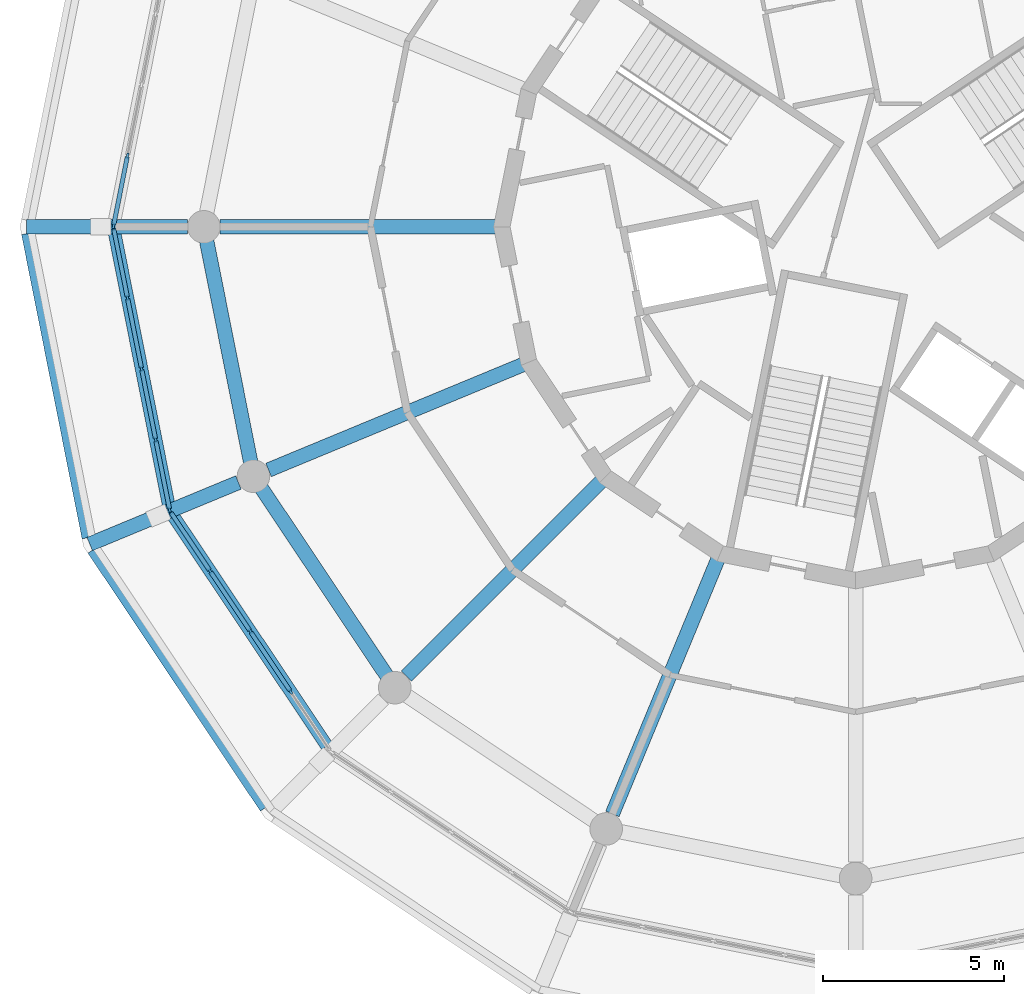
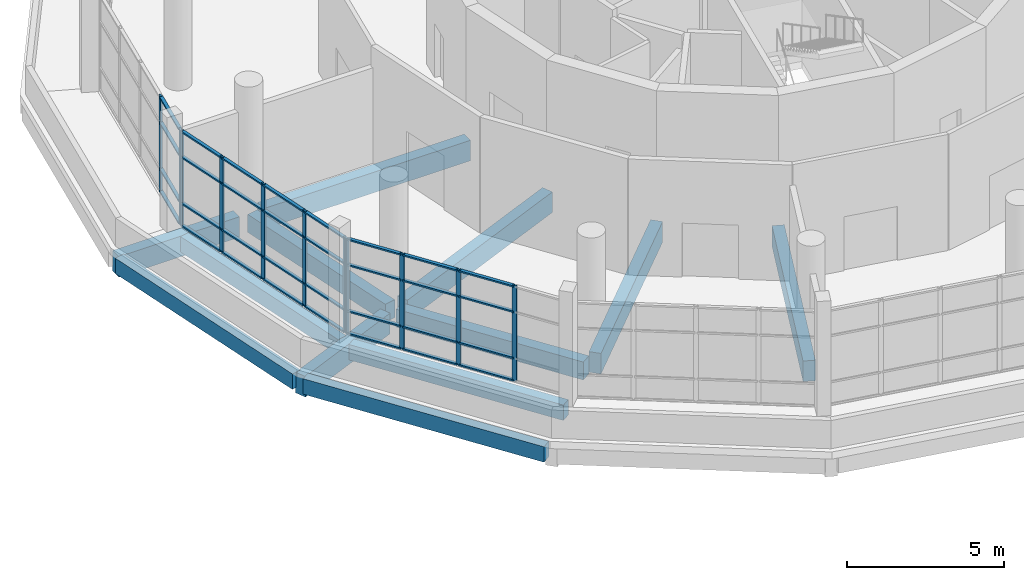
# One storey, part 5 of 21: 43 members, 12 beams, 3 elements without a shape of their own.
"""IFC4 building model written with IfcOpenShell, lengths in metres."""

import ifcopenshell
import ifcopenshell.guid

model = None  # the IFC model being written
_history = None  # IfcOwnerHistory: only IFC2X3 demands one
_inside = {}  # id of a spatial element -> (the spatial element, [elements in it])
_under = {}  # id of a project, library or spatial element -> (it, [spatial elements below it])
_declared = {}  # id of a project -> (the project, [libraries it declares])
_typed = {}  # id of a type object -> (the type object, [elements of that type])
_made_of = {}  # id of a material, layer set ... -> (it, [elements and type objects made of it])


def new_model(schema):
    """Start an empty IFC model of exactly this schema.

    Asked for "IFC4X3", IfcOpenShell would pick the latest addendum, in which some entities
    have other attributes; the version numbers below select the first issue.
    IFC2X3 requires an IfcOwnerHistory on every rooted entity: one is made here for all.
    """
    global model, _history
    if schema == "IFC4X3":
        model = ifcopenshell.file(schema_version=(4, 3, 0, 0))
    else:
        model = ifcopenshell.file(schema=schema)
    _inside.clear()
    _under.clear()
    _declared.clear()
    _typed.clear()
    _made_of.clear()
    _history = None
    if model.schema == "IFC2X3":
        org = make("IfcOrganization", Name="unknown")
        user = make(
            "IfcPersonAndOrganization",
            ThePerson=make("IfcPerson", FamilyName="unknown"),
            TheOrganization=org,
        )
        app = make(
            "IfcApplication",
            ApplicationDeveloper=org,
            Version="unknown",
            ApplicationFullName="unknown",
            ApplicationIdentifier="unknown",
        )
        _history = make(
            "IfcOwnerHistory",
            OwningUser=user,
            OwningApplication=app,
            ChangeAction="ADDED",
            CreationDate=0,
        )
    return model


def make(cls, **values):
    """One entity of the class cls with the attributes given. An attribute that is None is left unset."""
    return model.create_entity(
        cls, **{name: value for name, value in values.items() if value is not None}
    )


def rooted(cls, **values):
    """An entity with a GlobalId (a new one), such as an element, a storey or a relation."""
    return make(cls, GlobalId=ifcopenshell.guid.new(), OwnerHistory=_history, **values)


def si_unit(unit_type, name, prefix=None):
    """IfcSIUnit, for example si_unit("LENGTHUNIT", "METRE", prefix="MILLI")."""
    return make("IfcSIUnit", UnitType=unit_type, Prefix=prefix, Name=name)


def assignment(units):
    """IfcUnitAssignment: the units of a project."""
    return None if units is None else make("IfcUnitAssignment", Units=units)


def point(xyz):
    """IfcCartesianPoint."""
    return None if xyz is None else make("IfcCartesianPoint", Coordinates=xyz)


def direction(xyz):
    """IfcDirection."""
    return None if xyz is None else make("IfcDirection", DirectionRatios=xyz)


def frame(location, z_axis=None, x_axis=None):
    """IfcAxis2Placement3D, a coordinate frame: its origin and axes. An axis left out is left unset."""
    return make(
        "IfcAxis2Placement3D",
        Location=point(location),
        Axis=direction(z_axis),
        RefDirection=direction(x_axis),
    )


def frame_2d(location, x_axis=None):
    """IfcAxis2Placement2D, a coordinate frame in the plane: its origin and x axis."""
    return make(
        "IfcAxis2Placement2D", Location=point(location), RefDirection=direction(x_axis)
    )


def origin():
    """The frame at (0, 0, 0) with its axes left unset."""
    return frame((0.0, 0.0, 0.0))


def origin_2d():
    """The frame at (0, 0) in the plane with its x axis left unset."""
    return frame_2d((0.0, 0.0))


def place(relative_to, where):
    """IfcLocalPlacement: puts the frame where relative to a parent placement (None: the world)."""
    return make(
        "IfcLocalPlacement", PlacementRelTo=relative_to, RelativePlacement=where
    )


def context(
    kind, dimensions, precision=None, world=None, true_north=None, identifier=None
):
    """IfcGeometricRepresentationContext, for example the 3D "Model" context."""
    return make(
        "IfcGeometricRepresentationContext",
        ContextIdentifier=identifier,
        ContextType=kind,
        CoordinateSpaceDimension=dimensions,
        Precision=precision,
        WorldCoordinateSystem=world,
        TrueNorth=true_north,
    )


def subcontext(parent, identifier, kind, view, scale=None):
    """IfcGeometricRepresentationSubContext, for example "Body" below "Model"."""
    return make(
        "IfcGeometricRepresentationSubContext",
        ContextIdentifier=identifier,
        ContextType=kind,
        ParentContext=parent,
        TargetScale=scale,
        TargetView=view,
    )


def project(units=None, contexts=None):
    """IfcProject with its units and contexts."""
    return rooted(
        "IfcProject",
        Name="project",
        RepresentationContexts=contexts,
        UnitsInContext=assignment(units),
    )


def spatial(cls, under=None, at=None, **own):
    """A site, building, storey or space (cls), placed at a placement, below another one or the project."""
    s = rooted(cls, ObjectPlacement=at, **own)
    if under is not None:
        _under.setdefault(under.id(), (under, []))[1].append(s)
    return s


def profile(cls, at=None, kind="AREA", **sizes):
    """A parametric profile (cls). Its sizes go by their IFC names, for example OverallWidth=200.0."""
    return make(cls, ProfileType=kind, Position=at, **sizes)


def rectangle(**sizes):
    """IfcRectangleProfileDef."""
    return profile("IfcRectangleProfileDef", **sizes)


def extrude(swept, where, along, depth):
    """IfcExtrudedAreaSolid: the profile swept, set in the frame where, extruded along a direction by depth."""
    return make(
        "IfcExtrudedAreaSolid",
        SweptArea=swept,
        Position=where,
        ExtrudedDirection=direction(along),
        Depth=depth,
    )


def shape(context_of_items, identifier, shape_type, items):
    """IfcShapeRepresentation: the items that make up one representation, for example the "Body"."""
    return make(
        "IfcShapeRepresentation",
        ContextOfItems=context_of_items,
        RepresentationIdentifier=identifier,
        RepresentationType=shape_type,
        Items=items,
    )


def material(Name=None, Category=None):
    """IfcMaterial."""
    return make("IfcMaterial", Name=Name, Category=Category)


def material_profile(
    of_material, cross_section, Name=None, Category=None, Priority=None
):
    """IfcMaterialProfile: a cross section and its material."""
    return make(
        "IfcMaterialProfile",
        Name=Name,
        Material=of_material,
        Profile=cross_section,
        Priority=Priority,
        Category=Category,
    )


def profile_set(profiles, Name=None, composite=None):
    """IfcMaterialProfileSet."""
    return make(
        "IfcMaterialProfileSet",
        Name=Name,
        MaterialProfiles=profiles,
        CompositeProfile=composite,
    )


def made_of(thing, what):
    """Note that an element or type object is made of a material, layer set ...; save() writes the relation."""
    if what is not None:
        _made_of.setdefault(what.id(), (what, []))[1].append(thing)
    return thing


def type_object(cls, material=None, **own):
    """A type object (cls), such as IfcWallType, which elements share."""
    return made_of(rooted(cls, **own), material)


def element(
    cls,
    number,
    at=None,
    inside=None,
    cuts=None,
    type_object=None,
    material=None,
    context=None,
    identifier="Body",
    shape_type=None,
    held_by="IfcProductDefinitionShape",
    body=None,
    shapes=None,
    **own,
):
    """One element of the class cls, such as IfcWall. Its Tag is "e" and its number.

    at: its placement. inside: the storey or other place that contains it. cuts: it is an
    opening in that element (IfcRelVoidsElement). A single representation is given by context,
    identifier, shape_type and body (its items); several are given by shapes. held_by: the class
    of the entity that holds the representations. save() writes the other relations.
    """
    e = rooted(cls, Tag="e%d" % number, ObjectPlacement=at, **own)
    if body is not None:
        shapes = [shape(context, identifier, shape_type, body)]
    if shapes is not None:
        e.Representation = make(held_by, Representations=shapes)
    if inside is not None:
        _inside.setdefault(inside.id(), (inside, []))[1].append(e)
    if cuts is not None:
        rooted(
            "IfcRelVoidsElement", RelatingBuildingElement=cuts, RelatedOpeningElement=e
        )
    if type_object is not None:
        _typed.setdefault(type_object.id(), (type_object, []))[1].append(e)
    return made_of(e, material)


def aggregate(whole, parts):
    """IfcRelAggregates: a whole, such as a stair, and the parts it consists of."""
    return rooted("IfcRelAggregates", RelatingObject=whole, RelatedObjects=parts)


def save(model, path):
    """Write the relations noted so far, then the file.

    IfcRelAggregates (storeys below a building ...), IfcRelContainedInSpatialStructure (elements
    in a storey), IfcRelDefinesByType, IfcRelAssociatesMaterial and IfcRelDeclares: one each for
    every whole, place, type object, material and project.
    """
    for whole, parts in _under.values():
        aggregate(whole, parts)
    for where, things in _inside.values():
        rooted(
            "IfcRelContainedInSpatialStructure",
            RelatedElements=things,
            RelatingStructure=where,
        )
    for kind, things in _typed.values():
        rooted("IfcRelDefinesByType", RelatedObjects=things, RelatingType=kind)
    for what, things in _made_of.values():
        rooted("IfcRelAssociatesMaterial", RelatedObjects=things, RelatingMaterial=what)
    for by, libraries in _declared.values():
        rooted("IfcRelDeclares", RelatingContext=by, RelatedDefinitions=libraries)
    model.write(path)


model = new_model("IFC4")

# Units and contexts
model_context = context("Model", 3, precision=1e-05, world=origin(), true_north=direction((0.0, 1.0)))
body_context = subcontext(model_context, "Body", "Model", "MODEL_VIEW")
ifc_project = project(units=[si_unit("LENGTHUNIT", "METRE"), si_unit("AREAUNIT", "SQUARE_METRE"), si_unit("VOLUMEUNIT", "CUBIC_METRE"), si_unit("PLANEANGLEUNIT", "RADIAN"), si_unit("MASSUNIT", "GRAM", prefix="KILO")], contexts=[model_context])

# Site, building, storey
site_placement = place(None, origin())
site = spatial("IfcSite", under=ifc_project, at=site_placement, CompositionType="ELEMENT")
building_placement = place(site_placement, origin())
building = spatial("IfcBuilding", under=site, at=building_placement, Name="Ceibo Conservatory and Research Tower", CompositionType="ELEMENT")
storey_placement = place(building_placement, frame((0.0, 0.0, 15.60009765625)))
storey = spatial("IfcBuildingStorey", under=building, at=storey_placement, Name="L03", CompositionType="ELEMENT", Elevation=15.60009765625)

# Curtain wall, members
ifc_material_1 = material(Name="Aluminium and glass", Category="aluminium")
curtain_wall_type = type_object("IfcCurtainWallType", Name="Curtain wall CW1", PredefinedType="NOTDEFINED", material=ifc_material_1)
curtain_wall_1_placement = place(storey_placement, origin())
curtain_wall_1 = element("IfcCurtainWall", 1, at=curtain_wall_1_placement, inside=storey, type_object=curtain_wall_type, Name="CW-03.08", PredefinedType="NOTDEFINED")
ifc_material_2 = material(Name="Aluminium", Category="aluminium")
ifc_material_profile_1 = material_profile(ifc_material_2, rectangle(XDim=0.06005859375, YDim=0.159912109375, at=origin_2d()), Name="Aluminium 60 x 160")
ifc_profile_set_1 = profile_set([ifc_material_profile_1], Name="Aluminium")
member_type_1 = type_object("IfcMemberType", Name="Aluminium mullion 60 x 160", PredefinedType="MULLION", material=ifc_profile_set_1)
member_1_placement = place(storey_placement, frame((27.89013671875, 121.961181640625, 0.0), z_axis=(0.0, 0.0, 1.0), x_axis=(0.980785268711, -0.195090380799, 0.0)))
member_1 = element("IfcMember", 2, at=member_1_placement, type_object=member_type_1, Name="CW-03.08 mullion 4", PredefinedType="MULLION", context=body_context, shape_type="SweptSolid", body=[
    extrude(rectangle(XDim=0.06005859375, YDim=0.159912109375, at=origin_2d()), origin(), (0.0, 0.0, 1.0), 3.719970703125),
])
member_2_placement = place(storey_placement, frame((27.505859375, 120.029541015625, 0.0), z_axis=(0.0, 0.0, 1.0), x_axis=(0.980785268711, -0.195090380799, 0.0)))
member_2 = element("IfcMember", 3, at=member_2_placement, type_object=member_type_1, Name="CW-03.08 mullion 5", PredefinedType="MULLION", context=body_context, shape_type="SweptSolid", body=[
    extrude(rectangle(XDim=0.06005859375, YDim=0.159912109375, at=origin_2d()), origin(), (0.0, 0.0, 1.0), 3.719970703125),
])

curtain_wall_2_placement = place(storey_placement, origin())
curtain_wall_2 = element("IfcCurtainWall", 4, at=curtain_wall_2_placement, inside=storey, type_object=curtain_wall_type, Name="CW-03.09", PredefinedType="NOTDEFINED")
member_3_placement = place(storey_placement, frame((27.505859375, 119.970458984375, 0.0), z_axis=(0.0, 0.0, 1.0), x_axis=(0.980785268711, 0.195090380799, 0.0)))
member_3 = element("IfcMember", 5, at=member_3_placement, type_object=member_type_1, Name="CW-03.09 mullion 1", PredefinedType="MULLION", context=body_context, shape_type="SweptSolid", body=[
    extrude(rectangle(XDim=0.06005859375, YDim=0.159912109375, at=origin_2d()), origin(), (0.0, 0.0, 1.0), 3.719970703125),
])
member_4_placement = place(storey_placement, frame((27.89013671875, 118.038818359375, 0.0), z_axis=(0.0, 0.0, 1.0), x_axis=(0.980785268711, 0.195090380799, 0.0)))
member_4 = element("IfcMember", 6, at=member_4_placement, type_object=member_type_1, Name="CW-03.09 mullion 2", PredefinedType="MULLION", context=body_context, shape_type="SweptSolid", body=[
    extrude(rectangle(XDim=0.06005859375, YDim=0.159912109375, at=origin_2d()), origin(), (0.0, 0.0, 1.0), 3.719970703125),
])
member_5_placement = place(storey_placement, frame((28.2802734375, 116.077392578125, 0.0), z_axis=(0.0, 0.0, 1.0), x_axis=(0.980785268711, 0.195090380799, 0.0)))
member_5 = element("IfcMember", 7, at=member_5_placement, type_object=member_type_1, Name="CW-03.09 mullion 3", PredefinedType="MULLION", context=body_context, shape_type="SweptSolid", body=[
    extrude(rectangle(XDim=0.06005859375, YDim=0.159912109375, at=origin_2d()), origin(), (0.0, 0.0, 1.0), 3.719970703125),
])
member_6_placement = place(storey_placement, frame((28.67041015625, 114.1162109375, 0.0), z_axis=(0.0, 0.0, 1.0), x_axis=(0.980785268711, 0.195090380799, 0.0)))
member_6 = element("IfcMember", 8, at=member_6_placement, type_object=member_type_1, Name="CW-03.09 mullion 4", PredefinedType="MULLION", context=body_context, shape_type="SweptSolid", body=[
    extrude(rectangle(XDim=0.06005859375, YDim=0.159912109375, at=origin_2d()), origin(), (0.0, 0.0, 1.0), 3.719970703125),
])
member_7_placement = place(storey_placement, frame((29.0546875, 112.184326171875, 0.0), z_axis=(0.0, 0.0, 1.0), x_axis=(0.980785268711, 0.195090380799, 0.0)))
member_7 = element("IfcMember", 9, at=member_7_placement, type_object=member_type_1, Name="CW-03.09 mullion 5", PredefinedType="MULLION", context=body_context, shape_type="SweptSolid", body=[
    extrude(rectangle(XDim=0.06005859375, YDim=0.159912109375, at=origin_2d()), origin(), (0.0, 0.0, 1.0), 3.719970703125),
])

curtain_wall_3_placement = place(storey_placement, origin())
curtain_wall_3 = element("IfcCurtainWall", 10, at=curtain_wall_3_placement, inside=storey, type_object=curtain_wall_type, Name="CW-03.10", PredefinedType="NOTDEFINED")
member_8_placement = place(storey_placement, frame((29.0771484375, 112.130126953125, 0.0), z_axis=(0.0, 0.0, 1.0), x_axis=(0.831469649004, 0.555570178092, 0.0)))
member_8 = element("IfcMember", 11, at=member_8_placement, type_object=member_type_1, Name="CW-03.10 mullion 1", PredefinedType="MULLION", context=body_context, shape_type="SweptSolid", body=[
    extrude(rectangle(XDim=0.06005859375, YDim=0.159912109375, at=origin_2d()), origin(), (0.0, 0.0, 1.0), 3.719970703125),
])
member_9_placement = place(storey_placement, frame((30.17138671875, 110.492431640625, 0.0), z_axis=(0.0, 0.0, 1.0), x_axis=(0.831469649004, 0.555570178092, 0.0)))
member_9 = element("IfcMember", 12, at=member_9_placement, type_object=member_type_1, Name="CW-03.10 mullion 2", PredefinedType="MULLION", context=body_context, shape_type="SweptSolid", body=[
    extrude(rectangle(XDim=0.06005859375, YDim=0.159912109375, at=origin_2d()), origin(), (0.0, 0.0, 1.0), 3.719970703125),
])
member_10_placement = place(storey_placement, frame((31.282470703125, 108.82958984375, 0.0), z_axis=(0.0, 0.0, 1.0), x_axis=(0.831469649004, 0.555570178092, 0.0)))
member_10 = element("IfcMember", 13, at=member_10_placement, type_object=member_type_1, Name="CW-03.10 mullion 3", PredefinedType="MULLION", context=body_context, shape_type="SweptSolid", body=[
    extrude(rectangle(XDim=0.06005859375, YDim=0.159912109375, at=origin_2d()), origin(), (0.0, 0.0, 1.0), 3.719970703125),
])
member_11_placement = place(storey_placement, frame((32.393310546875, 107.1669921875, 0.0), z_axis=(0.0, 0.0, 1.0), x_axis=(0.831469649004, 0.555570178092, 0.0)))
member_11 = element("IfcMember", 14, at=member_11_placement, type_object=member_type_1, Name="CW-03.10 mullion 4", PredefinedType="MULLION", context=body_context, shape_type="SweptSolid", body=[
    extrude(rectangle(XDim=0.06005859375, YDim=0.159912109375, at=origin_2d()), origin(), (0.0, 0.0, 1.0), 3.719970703125),
])

# Member
ifc_material_profile_2 = material_profile(ifc_material_2, rectangle(XDim=0.1201171875, YDim=0.06005859375, at=origin_2d()), Name="Aluminium 60 x 120")
ifc_profile_set_2 = profile_set([ifc_material_profile_2], Name="Aluminium")
member_type_2 = type_object("IfcMemberType", Name="Aluminium transom 60 x 120", PredefinedType="USERDEFINED", material=ifc_profile_set_2)
member_12_placement = place(storey_placement, frame((27.88427734375, 121.931884765625, 0.02978515625), z_axis=(-0.195083474499, -0.980786642434, 0.0), x_axis=(0.980786642434, -0.195083474499, 0.0)))
member_12 = element("IfcMember", 15, at=member_12_placement, type_object=member_type_2, Name="CW-03.08 transom 4.1", ObjectType="TRANSOM", PredefinedType="USERDEFINED", context=body_context, shape_type="SweptSolid", body=[
    extrude(rectangle(XDim=0.1201171875, YDim=0.06005859375, at=origin_2d()), origin(), (0.0, 0.0, 1.0), 1.90966796875),
])

member_13_placement = place(storey_placement, frame((27.88427734375, 121.931884765625, 0.89990234375), z_axis=(-0.195083474499, -0.980786642434, 0.0), x_axis=(0.980786642434, -0.195083474499, 0.0)))
member_13 = element("IfcMember", 16, at=member_13_placement, type_object=member_type_2, Name="CW-03.08 transom 4.2", ObjectType="TRANSOM", PredefinedType="USERDEFINED", context=body_context, shape_type="SweptSolid", body=[
    extrude(rectangle(XDim=0.1201171875, YDim=0.06005859375, at=origin_2d()), origin(), (0.0, 0.0, 1.0), 1.90966796875),
])

member_14_placement = place(storey_placement, frame((27.88427734375, 121.931884765625, 2.699951171875), z_axis=(-0.195083474499, -0.980786642434, 0.0), x_axis=(0.980786642434, -0.195083474499, 0.0)))
member_14 = element("IfcMember", 17, at=member_14_placement, type_object=member_type_2, Name="CW-03.08 transom 4.3", ObjectType="TRANSOM", PredefinedType="USERDEFINED", context=body_context, shape_type="SweptSolid", body=[
    extrude(rectangle(XDim=0.1201171875, YDim=0.06005859375, at=origin_2d()), origin(), (0.0, 0.0, 1.0), 1.90966796875),
])

member_15_placement = place(storey_placement, frame((27.88427734375, 121.931884765625, 3.68994140625), z_axis=(-0.195083474499, -0.980786642434, 0.0), x_axis=(0.980786642434, -0.195083474499, 0.0)))
member_15 = element("IfcMember", 18, at=member_15_placement, type_object=member_type_2, Name="CW-03.08 transom 4.4", ObjectType="TRANSOM", PredefinedType="USERDEFINED", context=body_context, shape_type="SweptSolid", body=[
    extrude(rectangle(XDim=0.1201171875, YDim=0.06005859375, at=origin_2d()), origin(), (0.0, 0.0, 1.0), 1.90966796875),
])

aggregate(curtain_wall_1, [member_1, member_2, member_12, member_13, member_14, member_15])

member_16_placement = place(storey_placement, frame((27.51171875, 119.941162109375, 0.02978515625), z_axis=(0.195083474499, -0.980786642434, 0.0), x_axis=(0.980786642434, 0.195083474499, 0.0)))
member_16 = element("IfcMember", 19, at=member_16_placement, type_object=member_type_2, Name="CW-03.09 transom 1.1", ObjectType="TRANSOM", PredefinedType="USERDEFINED", context=body_context, shape_type="SweptSolid", body=[
    extrude(rectangle(XDim=0.1201171875, YDim=0.06005859375, at=origin_2d()), origin(), (0.0, 0.0, 1.0), 1.90966796875),
])

member_17_placement = place(storey_placement, frame((27.51171875, 119.941162109375, 0.89990234375), z_axis=(0.195083474499, -0.980786642434, 0.0), x_axis=(0.980786642434, 0.195083474499, 0.0)))
member_17 = element("IfcMember", 20, at=member_17_placement, type_object=member_type_2, Name="CW-03.09 transom 1.2", ObjectType="TRANSOM", PredefinedType="USERDEFINED", context=body_context, shape_type="SweptSolid", body=[
    extrude(rectangle(XDim=0.1201171875, YDim=0.06005859375, at=origin_2d()), origin(), (0.0, 0.0, 1.0), 1.90966796875),
])

member_18_placement = place(storey_placement, frame((27.51171875, 119.941162109375, 2.699951171875), z_axis=(0.195083474499, -0.980786642434, 0.0), x_axis=(0.980786642434, 0.195083474499, 0.0)))
member_18 = element("IfcMember", 21, at=member_18_placement, type_object=member_type_2, Name="CW-03.09 transom 1.3", ObjectType="TRANSOM", PredefinedType="USERDEFINED", context=body_context, shape_type="SweptSolid", body=[
    extrude(rectangle(XDim=0.1201171875, YDim=0.06005859375, at=origin_2d()), origin(), (0.0, 0.0, 1.0), 1.90966796875),
])

member_19_placement = place(storey_placement, frame((27.51171875, 119.941162109375, 3.68994140625), z_axis=(0.195083474499, -0.980786642434, 0.0), x_axis=(0.980786642434, 0.195083474499, 0.0)))
member_19 = element("IfcMember", 22, at=member_19_placement, type_object=member_type_2, Name="CW-03.09 transom 1.4", ObjectType="TRANSOM", PredefinedType="USERDEFINED", context=body_context, shape_type="SweptSolid", body=[
    extrude(rectangle(XDim=0.1201171875, YDim=0.06005859375, at=origin_2d()), origin(), (0.0, 0.0, 1.0), 1.90966796875),
])

member_20_placement = place(storey_placement, frame((27.89599609375, 118.00927734375, 0.02978515625), z_axis=(0.195099382826, -0.980783478053, 0.0), x_axis=(0.980783478053, 0.195099382826, 0.0)))
member_20 = element("IfcMember", 23, at=member_20_placement, type_object=member_type_2, Name="CW-03.09 transom 2.1", ObjectType="TRANSOM", PredefinedType="USERDEFINED", context=body_context, shape_type="SweptSolid", body=[
    extrude(rectangle(XDim=0.1201171875, YDim=0.06005859375, at=origin_2d()), origin(), (0.0, 0.0, 1.0), 1.939697265625),
])

member_21_placement = place(storey_placement, frame((27.89599609375, 118.00927734375, 0.89990234375), z_axis=(0.195099382826, -0.980783478053, 0.0), x_axis=(0.980783478053, 0.195099382826, 0.0)))
member_21 = element("IfcMember", 24, at=member_21_placement, type_object=member_type_2, Name="CW-03.09 transom 2.2", ObjectType="TRANSOM", PredefinedType="USERDEFINED", context=body_context, shape_type="SweptSolid", body=[
    extrude(rectangle(XDim=0.1201171875, YDim=0.06005859375, at=origin_2d()), origin(), (0.0, 0.0, 1.0), 1.939697265625),
])

member_22_placement = place(storey_placement, frame((27.89599609375, 118.00927734375, 2.699951171875), z_axis=(0.195099382826, -0.980783478053, 0.0), x_axis=(0.980783478053, 0.195099382826, 0.0)))
member_22 = element("IfcMember", 25, at=member_22_placement, type_object=member_type_2, Name="CW-03.09 transom 2.3", ObjectType="TRANSOM", PredefinedType="USERDEFINED", context=body_context, shape_type="SweptSolid", body=[
    extrude(rectangle(XDim=0.1201171875, YDim=0.06005859375, at=origin_2d()), origin(), (0.0, 0.0, 1.0), 1.939697265625),
])

member_23_placement = place(storey_placement, frame((27.89599609375, 118.00927734375, 3.68994140625), z_axis=(0.195099382826, -0.980783478053, 0.0), x_axis=(0.980783478053, 0.195099382826, 0.0)))
member_23 = element("IfcMember", 26, at=member_23_placement, type_object=member_type_2, Name="CW-03.09 transom 2.4", ObjectType="TRANSOM", PredefinedType="USERDEFINED", context=body_context, shape_type="SweptSolid", body=[
    extrude(rectangle(XDim=0.1201171875, YDim=0.06005859375, at=origin_2d()), origin(), (0.0, 0.0, 1.0), 1.939697265625),
])

member_24_placement = place(storey_placement, frame((28.2861328125, 116.048095703125, 0.02978515625), z_axis=(0.195099382826, -0.980783478053, 0.0), x_axis=(0.980783478053, 0.195099382826, 0.0)))
member_24 = element("IfcMember", 27, at=member_24_placement, type_object=member_type_2, Name="CW-03.09 transom 3.1", ObjectType="TRANSOM", PredefinedType="USERDEFINED", context=body_context, shape_type="SweptSolid", body=[
    extrude(rectangle(XDim=0.1201171875, YDim=0.06005859375, at=origin_2d()), origin(), (0.0, 0.0, 1.0), 1.939697265625),
])

member_25_placement = place(storey_placement, frame((28.2861328125, 116.048095703125, 0.89990234375), z_axis=(0.195099382826, -0.980783478053, 0.0), x_axis=(0.980783478053, 0.195099382826, 0.0)))
member_25 = element("IfcMember", 28, at=member_25_placement, type_object=member_type_2, Name="CW-03.09 transom 3.2", ObjectType="TRANSOM", PredefinedType="USERDEFINED", context=body_context, shape_type="SweptSolid", body=[
    extrude(rectangle(XDim=0.1201171875, YDim=0.06005859375, at=origin_2d()), origin(), (0.0, 0.0, 1.0), 1.939697265625),
])

member_26_placement = place(storey_placement, frame((28.2861328125, 116.048095703125, 2.699951171875), z_axis=(0.195099382826, -0.980783478053, 0.0), x_axis=(0.980783478053, 0.195099382826, 0.0)))
member_26 = element("IfcMember", 29, at=member_26_placement, type_object=member_type_2, Name="CW-03.09 transom 3.3", ObjectType="TRANSOM", PredefinedType="USERDEFINED", context=body_context, shape_type="SweptSolid", body=[
    extrude(rectangle(XDim=0.1201171875, YDim=0.06005859375, at=origin_2d()), origin(), (0.0, 0.0, 1.0), 1.939697265625),
])

member_27_placement = place(storey_placement, frame((28.2861328125, 116.048095703125, 3.68994140625), z_axis=(0.195099382826, -0.980783478053, 0.0), x_axis=(0.980783478053, 0.195099382826, 0.0)))
member_27 = element("IfcMember", 30, at=member_27_placement, type_object=member_type_2, Name="CW-03.09 transom 3.4", ObjectType="TRANSOM", PredefinedType="USERDEFINED", context=body_context, shape_type="SweptSolid", body=[
    extrude(rectangle(XDim=0.1201171875, YDim=0.06005859375, at=origin_2d()), origin(), (0.0, 0.0, 1.0), 1.939697265625),
])

member_28_placement = place(storey_placement, frame((28.67626953125, 114.0869140625, 0.02978515625), z_axis=(0.195083474499, -0.980786642434, 0.0), x_axis=(0.980786642434, 0.195083474499, 0.0)))
member_28 = element("IfcMember", 31, at=member_28_placement, type_object=member_type_2, Name="CW-03.09 transom 4.1", ObjectType="TRANSOM", PredefinedType="USERDEFINED", context=body_context, shape_type="SweptSolid", body=[
    extrude(rectangle(XDim=0.1201171875, YDim=0.06005859375, at=origin_2d()), origin(), (0.0, 0.0, 1.0), 1.90966796875),
])

member_29_placement = place(storey_placement, frame((28.67626953125, 114.0869140625, 0.89990234375), z_axis=(0.195083474499, -0.980786642434, 0.0), x_axis=(0.980786642434, 0.195083474499, 0.0)))
member_29 = element("IfcMember", 32, at=member_29_placement, type_object=member_type_2, Name="CW-03.09 transom 4.2", ObjectType="TRANSOM", PredefinedType="USERDEFINED", context=body_context, shape_type="SweptSolid", body=[
    extrude(rectangle(XDim=0.1201171875, YDim=0.06005859375, at=origin_2d()), origin(), (0.0, 0.0, 1.0), 1.90966796875),
])

member_30_placement = place(storey_placement, frame((28.67626953125, 114.0869140625, 2.699951171875), z_axis=(0.195083474499, -0.980786642434, 0.0), x_axis=(0.980786642434, 0.195083474499, 0.0)))
member_30 = element("IfcMember", 33, at=member_30_placement, type_object=member_type_2, Name="CW-03.09 transom 4.3", ObjectType="TRANSOM", PredefinedType="USERDEFINED", context=body_context, shape_type="SweptSolid", body=[
    extrude(rectangle(XDim=0.1201171875, YDim=0.06005859375, at=origin_2d()), origin(), (0.0, 0.0, 1.0), 1.90966796875),
])

member_31_placement = place(storey_placement, frame((28.67626953125, 114.0869140625, 3.68994140625), z_axis=(0.195083474499, -0.980786642434, 0.0), x_axis=(0.980786642434, 0.195083474499, 0.0)))
member_31 = element("IfcMember", 34, at=member_31_placement, type_object=member_type_2, Name="CW-03.09 transom 4.4", ObjectType="TRANSOM", PredefinedType="USERDEFINED", context=body_context, shape_type="SweptSolid", body=[
    extrude(rectangle(XDim=0.1201171875, YDim=0.06005859375, at=origin_2d()), origin(), (0.0, 0.0, 1.0), 1.90966796875),
])

aggregate(curtain_wall_2, [member_3, member_4, member_5, member_6, member_7, member_16, member_17, member_18, member_19, member_20, member_21, member_22, member_23, member_24, member_25, member_26, member_27, member_28, member_29, member_30, member_31])

member_32_placement = place(storey_placement, frame((29.09375, 112.10498046875, 0.02978515625), z_axis=(0.555643975577, -0.831420334371, 0.0), x_axis=(0.831420334371, 0.555643975577, 0.0)))
member_32 = element("IfcMember", 35, at=member_32_placement, type_object=member_type_2, Name="CW-03.10 transom 1.1", ObjectType="TRANSOM", PredefinedType="USERDEFINED", context=body_context, shape_type="SweptSolid", body=[
    extrude(rectangle(XDim=0.1201171875, YDim=0.06005859375, at=origin_2d()), origin(), (0.0, 0.0, 1.0), 1.90966796875),
])

member_33_placement = place(storey_placement, frame((29.09375, 112.10498046875, 0.89990234375), z_axis=(0.555643975577, -0.831420334371, 0.0), x_axis=(0.831420334371, 0.555643975577, 0.0)))
member_33 = element("IfcMember", 36, at=member_33_placement, type_object=member_type_2, Name="CW-03.10 transom 1.2", ObjectType="TRANSOM", PredefinedType="USERDEFINED", context=body_context, shape_type="SweptSolid", body=[
    extrude(rectangle(XDim=0.1201171875, YDim=0.06005859375, at=origin_2d()), origin(), (0.0, 0.0, 1.0), 1.90966796875),
])

member_34_placement = place(storey_placement, frame((29.09375, 112.10498046875, 2.699951171875), z_axis=(0.555643975577, -0.831420334371, 0.0), x_axis=(0.831420334371, 0.555643975577, 0.0)))
member_34 = element("IfcMember", 37, at=member_34_placement, type_object=member_type_2, Name="CW-03.10 transom 1.3", ObjectType="TRANSOM", PredefinedType="USERDEFINED", context=body_context, shape_type="SweptSolid", body=[
    extrude(rectangle(XDim=0.1201171875, YDim=0.06005859375, at=origin_2d()), origin(), (0.0, 0.0, 1.0), 1.90966796875),
])

member_35_placement = place(storey_placement, frame((29.09375, 112.10498046875, 3.68994140625), z_axis=(0.555643975577, -0.831420334371, 0.0), x_axis=(0.831420334371, 0.555643975577, 0.0)))
member_35 = element("IfcMember", 38, at=member_35_placement, type_object=member_type_2, Name="CW-03.10 transom 1.4", ObjectType="TRANSOM", PredefinedType="USERDEFINED", context=body_context, shape_type="SweptSolid", body=[
    extrude(rectangle(XDim=0.1201171875, YDim=0.06005859375, at=origin_2d()), origin(), (0.0, 0.0, 1.0), 1.90966796875),
])

member_36_placement = place(storey_placement, frame((30.18798828125, 110.46728515625, 0.02978515625), z_axis=(0.55557127007, -0.831468919367, 0.0), x_axis=(0.831468919367, 0.55557127007, 0.0)))
member_36 = element("IfcMember", 39, at=member_36_placement, type_object=member_type_2, Name="CW-03.10 transom 2.1", ObjectType="TRANSOM", PredefinedType="USERDEFINED", context=body_context, shape_type="SweptSolid", body=[
    extrude(rectangle(XDim=0.1201171875, YDim=0.06005859375, at=origin_2d()), origin(), (0.0, 0.0, 1.0), 1.939697265625),
])

member_37_placement = place(storey_placement, frame((30.18798828125, 110.46728515625, 0.89990234375), z_axis=(0.55557127007, -0.831468919367, 0.0), x_axis=(0.831468919367, 0.55557127007, 0.0)))
member_37 = element("IfcMember", 40, at=member_37_placement, type_object=member_type_2, Name="CW-03.10 transom 2.2", ObjectType="TRANSOM", PredefinedType="USERDEFINED", context=body_context, shape_type="SweptSolid", body=[
    extrude(rectangle(XDim=0.1201171875, YDim=0.06005859375, at=origin_2d()), origin(), (0.0, 0.0, 1.0), 1.939697265625),
])

member_38_placement = place(storey_placement, frame((30.18798828125, 110.46728515625, 2.699951171875), z_axis=(0.55557127007, -0.831468919367, 0.0), x_axis=(0.831468919367, 0.55557127007, 0.0)))
member_38 = element("IfcMember", 41, at=member_38_placement, type_object=member_type_2, Name="CW-03.10 transom 2.3", ObjectType="TRANSOM", PredefinedType="USERDEFINED", context=body_context, shape_type="SweptSolid", body=[
    extrude(rectangle(XDim=0.1201171875, YDim=0.06005859375, at=origin_2d()), origin(), (0.0, 0.0, 1.0), 1.939697265625),
])

member_39_placement = place(storey_placement, frame((30.18798828125, 110.46728515625, 3.68994140625), z_axis=(0.55557127007, -0.831468919367, 0.0), x_axis=(0.831468919367, 0.55557127007, 0.0)))
member_39 = element("IfcMember", 42, at=member_39_placement, type_object=member_type_2, Name="CW-03.10 transom 2.4", ObjectType="TRANSOM", PredefinedType="USERDEFINED", context=body_context, shape_type="SweptSolid", body=[
    extrude(rectangle(XDim=0.1201171875, YDim=0.06005859375, at=origin_2d()), origin(), (0.0, 0.0, 1.0), 1.939697265625),
])

member_40_placement = place(storey_placement, frame((31.299072265625, 108.8046875, 0.02978515625), z_axis=(0.55557127007, -0.831468919367, 0.0), x_axis=(0.831468919367, 0.55557127007, 0.0)))
member_40 = element("IfcMember", 43, at=member_40_placement, type_object=member_type_2, Name="CW-03.10 transom 3.1", ObjectType="TRANSOM", PredefinedType="USERDEFINED", context=body_context, shape_type="SweptSolid", body=[
    extrude(rectangle(XDim=0.1201171875, YDim=0.06005859375, at=origin_2d()), origin(), (0.0, 0.0, 1.0), 1.939697265625),
])

member_41_placement = place(storey_placement, frame((31.299072265625, 108.8046875, 0.89990234375), z_axis=(0.55557127007, -0.831468919367, 0.0), x_axis=(0.831468919367, 0.55557127007, 0.0)))
member_41 = element("IfcMember", 44, at=member_41_placement, type_object=member_type_2, Name="CW-03.10 transom 3.2", ObjectType="TRANSOM", PredefinedType="USERDEFINED", context=body_context, shape_type="SweptSolid", body=[
    extrude(rectangle(XDim=0.1201171875, YDim=0.06005859375, at=origin_2d()), origin(), (0.0, 0.0, 1.0), 1.939697265625),
])

member_42_placement = place(storey_placement, frame((31.299072265625, 108.8046875, 2.699951171875), z_axis=(0.55557127007, -0.831468919367, 0.0), x_axis=(0.831468919367, 0.55557127007, 0.0)))
member_42 = element("IfcMember", 45, at=member_42_placement, type_object=member_type_2, Name="CW-03.10 transom 3.3", ObjectType="TRANSOM", PredefinedType="USERDEFINED", context=body_context, shape_type="SweptSolid", body=[
    extrude(rectangle(XDim=0.1201171875, YDim=0.06005859375, at=origin_2d()), origin(), (0.0, 0.0, 1.0), 1.939697265625),
])

member_43_placement = place(storey_placement, frame((31.299072265625, 108.8046875, 3.68994140625), z_axis=(0.55557127007, -0.831468919367, 0.0), x_axis=(0.831468919367, 0.55557127007, 0.0)))
member_43 = element("IfcMember", 46, at=member_43_placement, type_object=member_type_2, Name="CW-03.10 transom 3.4", ObjectType="TRANSOM", PredefinedType="USERDEFINED", context=body_context, shape_type="SweptSolid", body=[
    extrude(rectangle(XDim=0.1201171875, YDim=0.06005859375, at=origin_2d()), origin(), (0.0, 0.0, 1.0), 1.939697265625),
])

aggregate(curtain_wall_3, [member_8, member_9, member_10, member_11, member_32, member_33, member_34, member_35, member_36, member_37, member_38, member_39, member_40, member_41, member_42, member_43])

# Beams
ifc_material_3 = material(Name="Concrete C35/45", Category="concrete")
ifc_material_profile_3 = material_profile(ifc_material_3, rectangle(XDim=0.35009765625, YDim=0.60009765625, at=origin_2d()), Name="RC 350x600")
ifc_profile_set_3 = profile_set([ifc_material_profile_3], Name="Concrete C35/45")
beam_type_1 = type_object("IfcBeamType", Name="RC beam 350x600 C35", PredefinedType="BEAM", material=ifc_profile_set_3)
for number, where, z_axis, x_axis, name in (
    (47, (27.535888671875, 119.819580078125, -0.580078125), (0.195100828433, -0.980783190489, 0.0), (0.980783190489, 0.195100828433, 0.0), "Edge beam 09 L03"),
    (48, (29.16259765625, 112.001953125, -0.580078125), (0.555578495676, -0.831464091312, 0.0), (0.831464091312, 0.555578495676, 0.0), "Edge beam 10 L03"),
):
    element("IfcBeam", number, at=place(storey_placement, frame(where, z_axis=z_axis, x_axis=x_axis)), inside=storey, type_object=beam_type_1, Name=name, PredefinedType="BEAM", context=body_context, shape_type="SweptSolid", body=[
        extrude(rectangle(XDim=0.35009765625, YDim=0.60009765625, at=origin_2d()), origin(), (0.0, 0.0, 1.0), 7.630859375),
    ])
beam_1_placement = place(storey_placement, frame((25.135986328125, 119.819580078125, -0.580078125), z_axis=(0.195091228051, -0.980785100181, 0.0), x_axis=(0.980785100181, 0.195091228051, 0.0)))
element("IfcBeam", 49, at=beam_1_placement, inside=storey, type_object=beam_type_1, Name="Edge beam 09 L03", PredefinedType="BEAM", context=body_context, shape_type="SweptSolid", body=[
    extrude(rectangle(XDim=0.35009765625, YDim=0.60009765625, at=origin_2d()), origin(), (0.0, 0.0, 1.0), 8.567138671875),
])
beam_2_placement = place(storey_placement, frame((26.9453125, 111.083740234375, -0.580078125), z_axis=(0.555567941866, -0.831471143198, 0.0), x_axis=(0.831471143198, 0.555567941866, 0.0)))
element("IfcBeam", 50, at=beam_2_placement, inside=storey, type_object=beam_type_1, Name="Edge beam 10 L03", PredefinedType="BEAM", context=body_context, shape_type="SweptSolid", body=[
    extrude(rectangle(XDim=0.35009765625, YDim=0.60009765625, at=origin_2d()), origin(), (0.0, 0.0, 1.0), 8.5673828125),
])
ifc_material_profile_4 = material_profile(ifc_material_3, rectangle(XDim=0.39990234375, YDim=0.699951171875, at=origin_2d()), Name="RC 400x700")
ifc_profile_set_4 = profile_set([ifc_material_profile_4], Name="Concrete C35/45")
beam_type_2 = type_object("IfcBeamType", Name="RC beam 400x700 C35", PredefinedType="BEAM", material=ifc_profile_set_4)
beam_3_placement = place(storey_placement, frame((30.035888671875, 119.819580078125, -0.630126953125), z_axis=(0.19507903146, -0.980787526167, 0.0), x_axis=(0.980787526167, 0.19507903146, 0.0)))
element("IfcBeam", 51, at=beam_3_placement, inside=storey, type_object=beam_type_2, Name="Ring beam 09 L03", PredefinedType="BEAM", context=body_context, shape_type="SweptSolid", body=[
    extrude(rectangle(XDim=0.39990234375, YDim=0.699951171875, at=origin_2d()), origin(), (0.0, 0.0, 1.0), 6.655517578125),
])
beam_4_placement = place(storey_placement, frame((31.472412109375, 112.958740234375, -0.630126953125), z_axis=(0.555571830572, -0.83146854485, 0.0), x_axis=(0.83146854485, 0.555571830572, 0.0)))
element("IfcBeam", 52, at=beam_4_placement, inside=storey, type_object=beam_type_2, Name="Ring beam 10 L03", PredefinedType="BEAM", context=body_context, shape_type="SweptSolid", body=[
    extrude(rectangle(XDim=0.39990234375, YDim=0.699951171875, at=origin_2d()), origin(), (0.0, 0.0, 1.0), 6.6552734375),
])
ifc_material_profile_5 = material_profile(ifc_material_3, rectangle(XDim=0.39990234375, YDim=0.800048828125, at=origin_2d()), Name="RC 400x800")
ifc_profile_set_5 = profile_set([ifc_material_profile_5], Name="Concrete C35/45")
beam_type_3 = type_object("IfcBeamType", Name="RC beam 400x800 C35", PredefinedType="BEAM", material=ifc_profile_set_5)
for number, where, z_axis, x_axis, name in (
    (53, (38.050048828125, 120.0, -0.68017578125), (-1.0, 0.0, 0.0), (0.0, -1.0, 0.0), "Radial beam R9 L03"),
    (54, (38.807373046875, 116.1923828125, -0.68017578125), (-0.923877057182, -0.382689408283, 0.0), (0.382689408283, -0.923877057182, 0.0), "Radial beam R10 L03"),
    (55, (40.96435546875, 112.96435546875, -0.68017578125), (-0.707106781187, -0.707106781187, 0.0), (0.707106781187, -0.707106781187, 0.0), "Radial beam R11 L03"),
    (56, (44.1923828125, 110.807373046875, -0.68017578125), (-0.382689408283, -0.923877057182, 0.0), (0.923877057182, -0.382689408283, 0.0), "Radial beam R12 L03"),
):
    element("IfcBeam", number, at=place(storey_placement, frame(where, z_axis=z_axis, x_axis=x_axis)), inside=storey, type_object=beam_type_3, Name=name, PredefinedType="BEAM", context=body_context, shape_type="SweptSolid", body=[
        extrude(rectangle(XDim=0.39990234375, YDim=0.800048828125, at=origin_2d()), origin(), (0.0, 0.0, 1.0), 7.60009765625),
    ])
ifc_material_profile_6 = material_profile(ifc_material_3, rectangle(XDim=0.39990234375, YDim=0.800048828125, at=origin_2d()), Name="RC 400x800")
ifc_profile_set_6 = profile_set([ifc_material_profile_6], Name="Concrete C35/45")
beam_type_4 = type_object("IfcBeamType", Name="RC cantilever beam 400x800 C35", PredefinedType="BEAM", material=ifc_profile_set_6)
for number, where, z_axis, x_axis, name in (
    (57, (29.550048828125, 120.0, -0.68017578125), (-1.0, 0.0, 0.0), (0.0, -1.0, 0.0), "Radial cantilever beam R9 L03"),
    (58, (30.954345703125, 112.939453125, -0.68017578125), (-0.92388897624, -0.382660632392, 0.0), (0.382660632392, -0.92388897624, 0.0), "Radial cantilever beam R10 L03"),
):
    element("IfcBeam", number, at=place(storey_placement, frame(where, z_axis=z_axis, x_axis=x_axis)), inside=storey, type_object=beam_type_4, Name=name, PredefinedType="BEAM", context=body_context, shape_type="SweptSolid", body=[
        extrude(rectangle(XDim=0.39990234375, YDim=0.800048828125, at=origin_2d()), origin(), (0.0, 0.0, 1.0), 4.445068359375),
    ])

save(model, "model.ifc")
